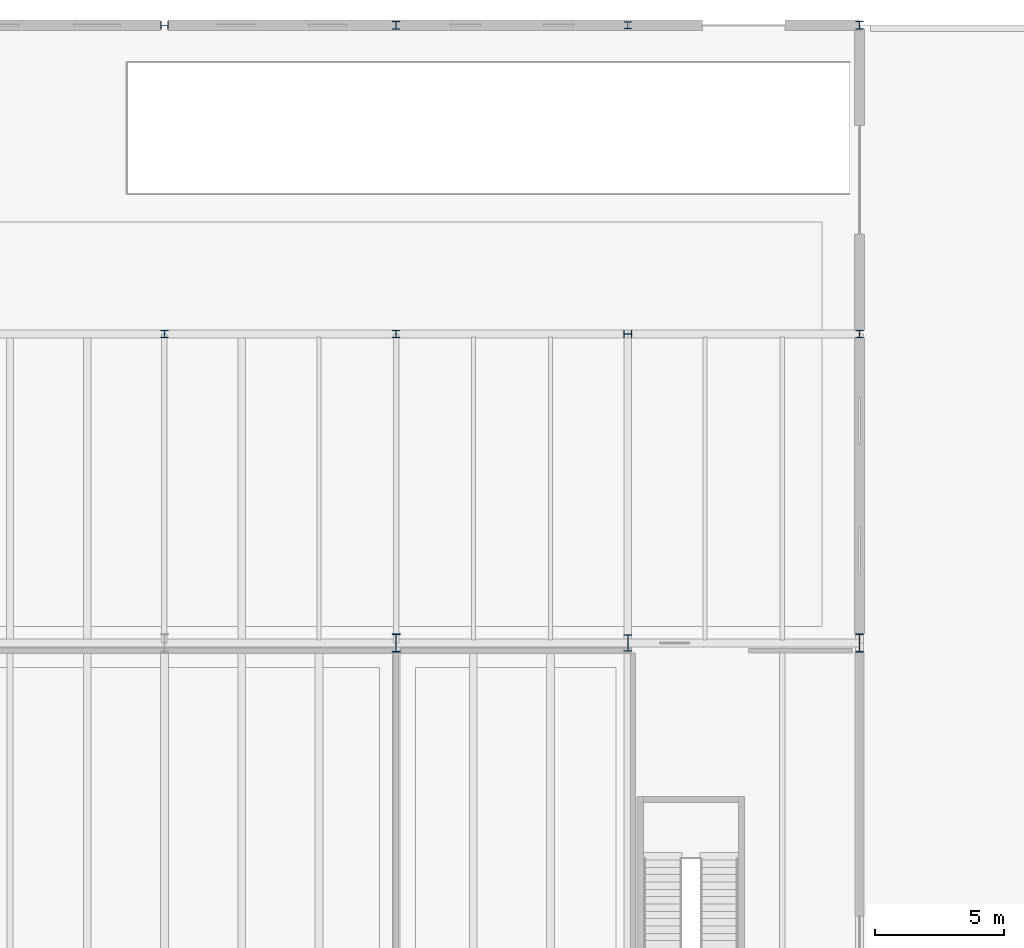
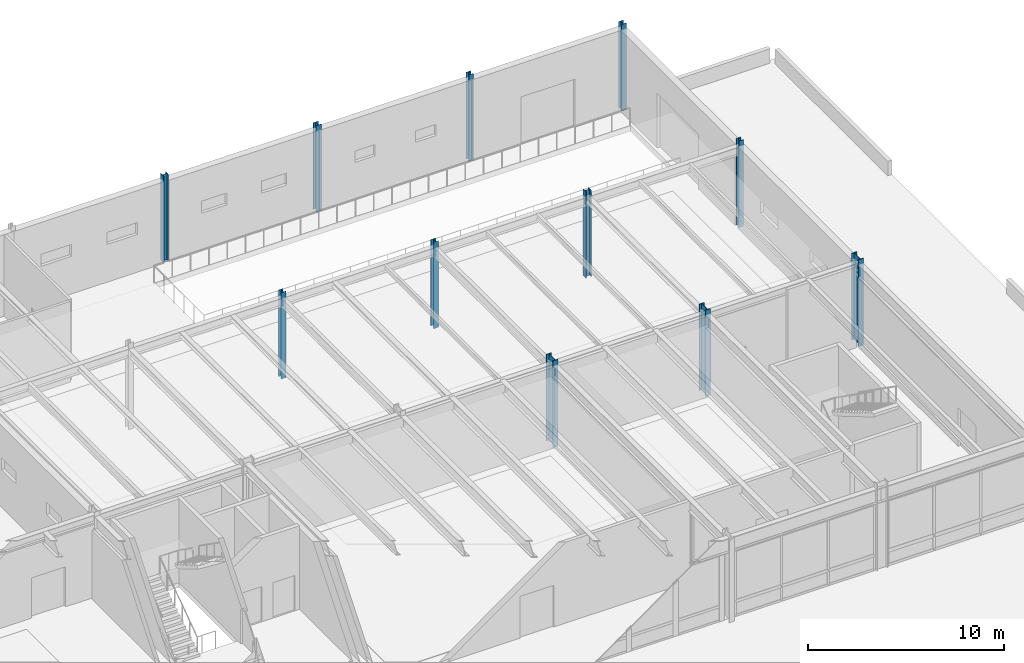
# One storey, part 18 of 143: 11 columns.
"""IFC4 building model written with IfcOpenShell, lengths in metres."""

import ifcopenshell
import ifcopenshell.guid

model = None  # the IFC model being written
_history = None  # IfcOwnerHistory: only IFC2X3 demands one
_inside = {}  # id of a spatial element -> (the spatial element, [elements in it])
_under = {}  # id of a project, library or spatial element -> (it, [spatial elements below it])
_declared = {}  # id of a project -> (the project, [libraries it declares])
_typed = {}  # id of a type object -> (the type object, [elements of that type])
_made_of = {}  # id of a material, layer set ... -> (it, [elements and type objects made of it])


def new_model(schema):
    """Start an empty IFC model of exactly this schema.

    Asked for "IFC4X3", IfcOpenShell would pick the latest addendum, in which some entities
    have other attributes; the version numbers below select the first issue.
    IFC2X3 requires an IfcOwnerHistory on every rooted entity: one is made here for all.
    """
    global model, _history
    if schema == "IFC4X3":
        model = ifcopenshell.file(schema_version=(4, 3, 0, 0))
    else:
        model = ifcopenshell.file(schema=schema)
    _inside.clear()
    _under.clear()
    _declared.clear()
    _typed.clear()
    _made_of.clear()
    _history = None
    if model.schema == "IFC2X3":
        org = make("IfcOrganization", Name="unknown")
        user = make(
            "IfcPersonAndOrganization",
            ThePerson=make("IfcPerson", FamilyName="unknown"),
            TheOrganization=org,
        )
        app = make(
            "IfcApplication",
            ApplicationDeveloper=org,
            Version="unknown",
            ApplicationFullName="unknown",
            ApplicationIdentifier="unknown",
        )
        _history = make(
            "IfcOwnerHistory",
            OwningUser=user,
            OwningApplication=app,
            ChangeAction="ADDED",
            CreationDate=0,
        )
    return model


def make(cls, **values):
    """One entity of the class cls with the attributes given. An attribute that is None is left unset."""
    return model.create_entity(
        cls, **{name: value for name, value in values.items() if value is not None}
    )


def rooted(cls, **values):
    """An entity with a GlobalId (a new one), such as an element, a storey or a relation."""
    return make(cls, GlobalId=ifcopenshell.guid.new(), OwnerHistory=_history, **values)


def si_unit(unit_type, name, prefix=None):
    """IfcSIUnit, for example si_unit("LENGTHUNIT", "METRE", prefix="MILLI")."""
    return make("IfcSIUnit", UnitType=unit_type, Prefix=prefix, Name=name)


def assignment(units):
    """IfcUnitAssignment: the units of a project."""
    return None if units is None else make("IfcUnitAssignment", Units=units)


def point(xyz):
    """IfcCartesianPoint."""
    return None if xyz is None else make("IfcCartesianPoint", Coordinates=xyz)


def direction(xyz):
    """IfcDirection."""
    return None if xyz is None else make("IfcDirection", DirectionRatios=xyz)


def frame(location, z_axis=None, x_axis=None):
    """IfcAxis2Placement3D, a coordinate frame: its origin and axes. An axis left out is left unset."""
    return make(
        "IfcAxis2Placement3D",
        Location=point(location),
        Axis=direction(z_axis),
        RefDirection=direction(x_axis),
    )


def frame_2d(location, x_axis=None):
    """IfcAxis2Placement2D, a coordinate frame in the plane: its origin and x axis."""
    return make(
        "IfcAxis2Placement2D", Location=point(location), RefDirection=direction(x_axis)
    )


def origin():
    """The frame at (0, 0, 0) with its axes left unset."""
    return frame((0.0, 0.0, 0.0))


def origin_2d():
    """The frame at (0, 0) in the plane with its x axis left unset."""
    return frame_2d((0.0, 0.0))


def place(relative_to, where):
    """IfcLocalPlacement: puts the frame where relative to a parent placement (None: the world)."""
    return make(
        "IfcLocalPlacement", PlacementRelTo=relative_to, RelativePlacement=where
    )


def context(
    kind, dimensions, precision=None, world=None, true_north=None, identifier=None
):
    """IfcGeometricRepresentationContext, for example the 3D "Model" context."""
    return make(
        "IfcGeometricRepresentationContext",
        ContextIdentifier=identifier,
        ContextType=kind,
        CoordinateSpaceDimension=dimensions,
        Precision=precision,
        WorldCoordinateSystem=world,
        TrueNorth=true_north,
    )


def subcontext(parent, identifier, kind, view, scale=None):
    """IfcGeometricRepresentationSubContext, for example "Body" below "Model"."""
    return make(
        "IfcGeometricRepresentationSubContext",
        ContextIdentifier=identifier,
        ContextType=kind,
        ParentContext=parent,
        TargetScale=scale,
        TargetView=view,
    )


def project(units=None, contexts=None):
    """IfcProject with its units and contexts."""
    return rooted(
        "IfcProject",
        Name="project",
        RepresentationContexts=contexts,
        UnitsInContext=assignment(units),
    )


def spatial(cls, under=None, at=None, **own):
    """A site, building, storey or space (cls), placed at a placement, below another one or the project."""
    s = rooted(cls, ObjectPlacement=at, **own)
    if under is not None:
        _under.setdefault(under.id(), (under, []))[1].append(s)
    return s


def profile(cls, at=None, kind="AREA", **sizes):
    """A parametric profile (cls). Its sizes go by their IFC names, for example OverallWidth=200.0."""
    return make(cls, ProfileType=kind, Position=at, **sizes)


def i_section(**sizes):
    """IfcIShapeProfileDef."""
    return profile("IfcIShapeProfileDef", **sizes)


def extrude(swept, where, along, depth):
    """IfcExtrudedAreaSolid: the profile swept, set in the frame where, extruded along a direction by depth."""
    return make(
        "IfcExtrudedAreaSolid",
        SweptArea=swept,
        Position=where,
        ExtrudedDirection=direction(along),
        Depth=depth,
    )


def shape(context_of_items, identifier, shape_type, items):
    """IfcShapeRepresentation: the items that make up one representation, for example the "Body"."""
    return make(
        "IfcShapeRepresentation",
        ContextOfItems=context_of_items,
        RepresentationIdentifier=identifier,
        RepresentationType=shape_type,
        Items=items,
    )


def material(Name=None, Category=None):
    """IfcMaterial."""
    return make("IfcMaterial", Name=Name, Category=Category)


def material_profile(
    of_material, cross_section, Name=None, Category=None, Priority=None
):
    """IfcMaterialProfile: a cross section and its material."""
    return make(
        "IfcMaterialProfile",
        Name=Name,
        Material=of_material,
        Profile=cross_section,
        Priority=Priority,
        Category=Category,
    )


def profile_set(profiles, Name=None, composite=None):
    """IfcMaterialProfileSet."""
    return make(
        "IfcMaterialProfileSet",
        Name=Name,
        MaterialProfiles=profiles,
        CompositeProfile=composite,
    )


def made_of(thing, what):
    """Note that an element or type object is made of a material, layer set ...; save() writes the relation."""
    if what is not None:
        _made_of.setdefault(what.id(), (what, []))[1].append(thing)
    return thing


def type_object(cls, material=None, **own):
    """A type object (cls), such as IfcWallType, which elements share."""
    return made_of(rooted(cls, **own), material)


def element(
    cls,
    number,
    at=None,
    inside=None,
    cuts=None,
    type_object=None,
    material=None,
    context=None,
    identifier="Body",
    shape_type=None,
    held_by="IfcProductDefinitionShape",
    body=None,
    shapes=None,
    **own,
):
    """One element of the class cls, such as IfcWall. Its Tag is "e" and its number.

    at: its placement. inside: the storey or other place that contains it. cuts: it is an
    opening in that element (IfcRelVoidsElement). A single representation is given by context,
    identifier, shape_type and body (its items); several are given by shapes. held_by: the class
    of the entity that holds the representations. save() writes the other relations.
    """
    e = rooted(cls, Tag="e%d" % number, ObjectPlacement=at, **own)
    if body is not None:
        shapes = [shape(context, identifier, shape_type, body)]
    if shapes is not None:
        e.Representation = make(held_by, Representations=shapes)
    if inside is not None:
        _inside.setdefault(inside.id(), (inside, []))[1].append(e)
    if cuts is not None:
        rooted(
            "IfcRelVoidsElement", RelatingBuildingElement=cuts, RelatedOpeningElement=e
        )
    if type_object is not None:
        _typed.setdefault(type_object.id(), (type_object, []))[1].append(e)
    return made_of(e, material)


def aggregate(whole, parts):
    """IfcRelAggregates: a whole, such as a stair, and the parts it consists of."""
    return rooted("IfcRelAggregates", RelatingObject=whole, RelatedObjects=parts)


def save(model, path):
    """Write the relations noted so far, then the file.

    IfcRelAggregates (storeys below a building ...), IfcRelContainedInSpatialStructure (elements
    in a storey), IfcRelDefinesByType, IfcRelAssociatesMaterial and IfcRelDeclares: one each for
    every whole, place, type object, material and project.
    """
    for whole, parts in _under.values():
        aggregate(whole, parts)
    for where, things in _inside.values():
        rooted(
            "IfcRelContainedInSpatialStructure",
            RelatedElements=things,
            RelatingStructure=where,
        )
    for kind, things in _typed.values():
        rooted("IfcRelDefinesByType", RelatedObjects=things, RelatingType=kind)
    for what, things in _made_of.values():
        rooted("IfcRelAssociatesMaterial", RelatedObjects=things, RelatingMaterial=what)
    for by, libraries in _declared.values():
        rooted("IfcRelDeclares", RelatingContext=by, RelatedDefinitions=libraries)
    model.write(path)


model = new_model("IFC4")

# Units and contexts
model_context = context("Model", 3, precision=1e-05, world=origin(), true_north=direction((0.0, 1.0)))
body_context = subcontext(model_context, "Body", "Model", "MODEL_VIEW")
ifc_project = project(units=[si_unit("LENGTHUNIT", "METRE"), si_unit("AREAUNIT", "SQUARE_METRE"), si_unit("VOLUMEUNIT", "CUBIC_METRE"), si_unit("PLANEANGLEUNIT", "RADIAN"), si_unit("MASSUNIT", "GRAM", prefix="KILO")], contexts=[model_context])

# Site, building, storey
site_placement = place(None, origin())
site = spatial("IfcSite", under=ifc_project, at=site_placement, CompositionType="ELEMENT")
building_placement = place(site_placement, origin())
building = spatial("IfcBuilding", under=site, at=building_placement, Name="Montelvaro Courts of Justice", CompositionType="ELEMENT")
storey_placement = place(building_placement, origin())
storey = spatial("IfcBuildingStorey", under=building, at=storey_placement, Name="L00", CompositionType="ELEMENT", Elevation=0.0)

# Columns
ifc_material = material(Name="Steel S355", Category="steel")
ifc_material_profile_1 = material_profile(ifc_material, i_section(OverallWidth=0.280029296875, OverallDepth=0.280029296875, WebThickness=0.010498046875, FlangeThickness=0.01806640625, at=origin_2d()), Name="HEB 280")
ifc_profile_set_1 = profile_set([ifc_material_profile_1], Name="Steel S355")
column_type_1 = type_object("IfcColumnType", Name="Col_HEB280", PredefinedType="COLUMN", material=ifc_profile_set_1)
for number, where, z_axis, x_axis, name in (
    (1, (135.0, 108.0, 0.0), (0.0, 0.0, 1.0), (1.0, 0.0, 0.0), "Column C-02 L00 16/I"),
    (2, (153.0, 120.0, 0.0), (0.0, 0.0, 1.0), (1.0, 0.0, 0.0), "Column C-02 L00 18/J"),
    (3, (162.0, 108.0, 0.0), (0.0, 0.0, 1.0), (1.0, 0.0, 0.0), "Column C-02 L00 19/I"),
):
    element("IfcColumn", number, at=place(storey_placement, frame(where, z_axis=z_axis, x_axis=x_axis)), inside=storey, type_object=column_type_1, Name=name, PredefinedType="COLUMN", context=body_context, shape_type="SweptSolid", body=[
        extrude(i_section(OverallWidth=0.280029296875, OverallDepth=0.280029296875, WebThickness=0.010498046875, FlangeThickness=0.01806640625, at=origin_2d()), origin(), (0.0, 0.0, 1.0), 5.39990234375),
    ])
ifc_material_profile_2 = material_profile(ifc_material, i_section(OverallWidth=0.300048828125, OverallDepth=0.300048828125, WebThickness=0.010986328125, FlangeThickness=0.01904296875, at=origin_2d()), Name="HEB 300")
ifc_profile_set_2 = profile_set([ifc_material_profile_2], Name="Steel S355")
column_type_2 = type_object("IfcColumnType", Name="Col_HEB300", PredefinedType="COLUMN", material=ifc_profile_set_2)
for number, where, z_axis, x_axis, name in (
    (4, (135.0, 120.0, 0.0), (0.0, 0.0, 1.0), (0.0, 1.0, 0.0), "Column C-03 L00 16/J"),
    (5, (144.0, 108.0, 0.0), (0.0, 0.0, 1.0), (1.0, 0.0, 0.0), "Column C-03 L00 17/I"),
    (6, (162.0, 120.0, 0.0), (0.0, 0.0, 1.0), (1.0, 0.0, 0.0), "Column C-03 L00 19/J"),
):
    element("IfcColumn", number, at=place(storey_placement, frame(where, z_axis=z_axis, x_axis=x_axis)), inside=storey, type_object=column_type_2, Name=name, PredefinedType="COLUMN", context=body_context, shape_type="SweptSolid", body=[
        extrude(i_section(OverallWidth=0.300048828125, OverallDepth=0.300048828125, WebThickness=0.010986328125, FlangeThickness=0.01904296875, at=origin_2d()), origin(), (0.0, 0.0, 1.0), 5.39990234375),
    ])
ifc_material_profile_3 = material_profile(ifc_material, i_section(OverallWidth=0.300048828125, OverallDepth=0.320068359375, WebThickness=0.011474609375, FlangeThickness=0.0205078125, at=origin_2d()), Name="HEB 320")
ifc_profile_set_3 = profile_set([ifc_material_profile_3], Name="Steel S355")
column_type_3 = type_object("IfcColumnType", Name="Col_HEB320", PredefinedType="COLUMN", material=ifc_profile_set_3)
for number, where, z_axis, x_axis, name in (
    (7, (144.0, 120.0, 0.0), (0.0, 0.0, 1.0), (1.0, 0.0, 0.0), "Column C-04 L00 17/J"),
    (8, (153.0, 108.0, 0.0), (0.0, 0.0, 1.0), (0.0, 1.0, 0.0), "Column C-04 L00 18/I"),
):
    element("IfcColumn", number, at=place(storey_placement, frame(where, z_axis=z_axis, x_axis=x_axis)), inside=storey, type_object=column_type_3, Name=name, PredefinedType="COLUMN", context=body_context, shape_type="SweptSolid", body=[
        extrude(i_section(OverallWidth=0.300048828125, OverallDepth=0.320068359375, WebThickness=0.011474609375, FlangeThickness=0.0205078125, at=origin_2d()), origin(), (0.0, 0.0, 1.0), 5.39990234375),
    ])
ifc_material_profile_4 = material_profile(ifc_material, i_section(OverallWidth=0.300048828125, OverallDepth=0.64990234375, WebThickness=0.01611328125, FlangeThickness=0.031005859375, at=origin_2d()), Name="HEB 650")
ifc_profile_set_4 = profile_set([ifc_material_profile_4], Name="Steel S355")
column_type_4 = type_object("IfcColumnType", Name="Col_HEB650", PredefinedType="COLUMN", material=ifc_profile_set_4)
column_placement = place(storey_placement, frame((153.0, 96.0, 0.0), z_axis=(0.0, 0.0, 1.0), x_axis=(1.0, 0.0, 0.0)))
element("IfcColumn", 9, at=column_placement, inside=storey, type_object=column_type_4, Name="Column C-12 L00 18/H", PredefinedType="COLUMN", context=body_context, shape_type="SweptSolid", body=[
    extrude(i_section(OverallWidth=0.300048828125, OverallDepth=0.64990234375, WebThickness=0.01611328125, FlangeThickness=0.031005859375, at=origin_2d()), origin(), (0.0, 0.0, 1.0), 5.39990234375),
])
ifc_material_profile_5 = material_profile(ifc_material, i_section(OverallWidth=0.303955078125, OverallDepth=0.716064453125, WebThickness=0.02099609375, FlangeThickness=0.0400390625, at=origin_2d()), Name="HEM 700")
ifc_profile_set_5 = profile_set([ifc_material_profile_5], Name="Steel S355")
column_type_5 = type_object("IfcColumnType", Name="Col_HEM700", PredefinedType="COLUMN", material=ifc_profile_set_5)
for number, where, z_axis, x_axis, name in (
    (10, (144.0, 96.0, 0.0), (0.0, 0.0, 1.0), (1.0, 0.0, 0.0), "Column C-16 L00 17/H"),
    (11, (162.0, 96.0, 0.0), (0.0, 0.0, 1.0), (1.0, 0.0, 0.0), "Column C-16 L00 19/H"),
):
    element("IfcColumn", number, at=place(storey_placement, frame(where, z_axis=z_axis, x_axis=x_axis)), inside=storey, type_object=column_type_5, Name=name, PredefinedType="COLUMN", context=body_context, shape_type="SweptSolid", body=[
        extrude(i_section(OverallWidth=0.303955078125, OverallDepth=0.716064453125, WebThickness=0.02099609375, FlangeThickness=0.0400390625, at=origin_2d()), origin(), (0.0, 0.0, 1.0), 5.39990234375),
    ])

save(model, "model.ifc")
